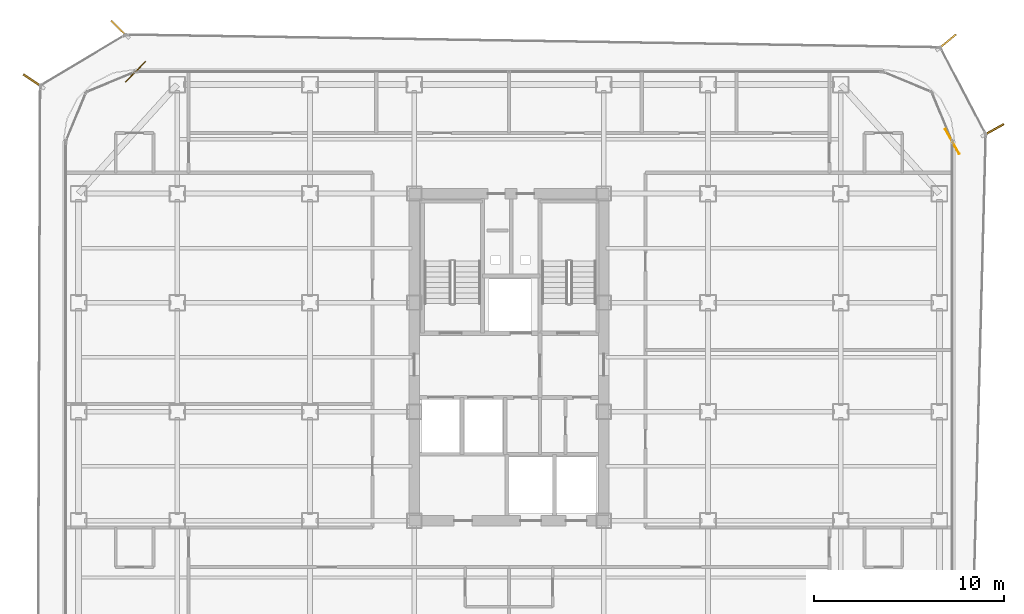
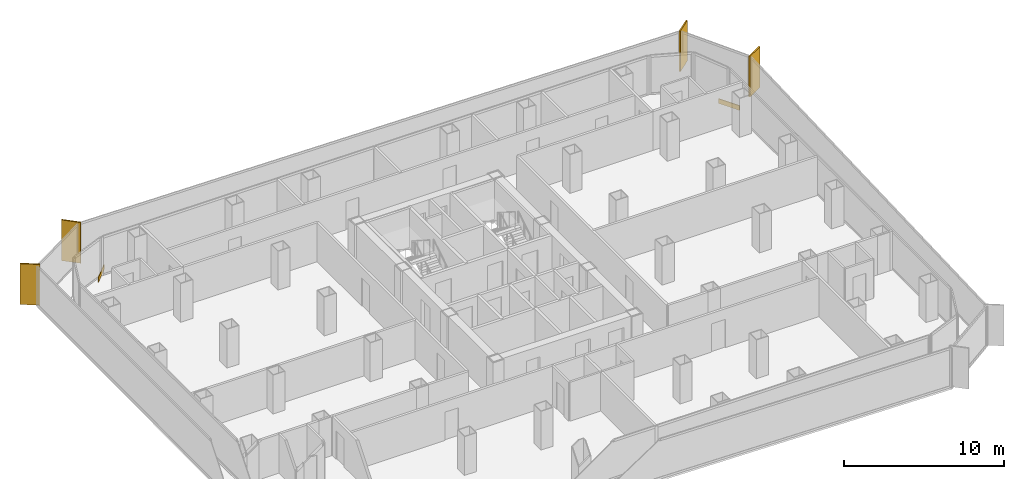
# One storey, part 21 of 21: 4 shading devices, 2 coverings.
"""IFC4 building model written with IfcOpenShell, lengths in metres."""

from ifc_helpers import new_model, si_unit, direction, frame, origin, origin_2d, place, context, subcontext, project, spatial, rectangle, extrude, source, transform, mapped, material, layer, layer_set, type_object, element, save


model = new_model("IFC4")

# Units and contexts
model_context = context("Model", 3, precision=1e-05, world=origin(), true_north=direction((0.0, 1.0)))
body_context = subcontext(model_context, "Body", "Model", "MODEL_VIEW")
ifc_project = project(units=[si_unit("LENGTHUNIT", "METRE"), si_unit("AREAUNIT", "SQUARE_METRE"), si_unit("VOLUMEUNIT", "CUBIC_METRE"), si_unit("PLANEANGLEUNIT", "RADIAN"), si_unit("MASSUNIT", "GRAM", prefix="KILO")], contexts=[model_context])

# Site, building, storey
site_placement = place(None, origin())
site = spatial("IfcSite", under=ifc_project, at=site_placement, CompositionType="ELEMENT")
building_placement = place(site_placement, origin())
building = spatial("IfcBuilding", under=site, at=building_placement, Name="Kolveth Station Tower", CompositionType="ELEMENT")
storey_placement = place(building_placement, frame((0.0, 0.0, 134.300048828125)))
storey = spatial("IfcBuildingStorey", under=building, at=storey_placement, Name="L37", CompositionType="ELEMENT", Elevation=134.300048828125)

# Shading devices
ifc_material_1 = material(Name="Black anodized aluminium 6063-T6", Category="aluminium")
shading_device_type = type_object("IfcShadingDeviceType", Name="FIN_VF1", PredefinedType="USERDEFINED", material=ifc_material_1)
shared_shape_1 = source(origin(), body_context, "Body", "SweptSolid", [
    extrude(rectangle(XDim=1.25, YDim=0.090087890625, at=origin_2d()), origin(), (0.0, 0.0, 1.0), 3.10009765625),
])
for number, where, z_axis, x_axis, name in (
    (1, (49.0419921875, 32.10888671875, 0.0), (0.0, 0.0, 1.0), (0.87026973856, 0.492575458328, 0.0), "L37 Dark-Aluminium Solar Fin 3"),
    (2, (46.593994140625, 36.7509765625, 0.0), (0.0, 0.0, 1.0), (0.770624482513, 0.637289500111, 0.0), "L37 Dark-Aluminium Solar Fin 4"),
    (3, (2.951904296875, 37.443115234375, 0.0), (0.0, 0.0, 1.0), (-0.720187948577, 0.693779012888, 0.0), "L37 Dark-Aluminium Solar Fin 5"),
    (4, (-1.594970703125, 34.69091796875, 0.0), (0.0, 0.0, 1.0), (-0.827276727994, 0.56179463803, 0.0), "L37 Dark-Aluminium Solar Fin 6"),
):
    element("IfcShadingDevice", number, at=place(storey_placement, frame(where, z_axis=z_axis, x_axis=x_axis)), inside=storey, type_object=shading_device_type, Name=name, ObjectType="FIN", PredefinedType="USERDEFINED", context=body_context, shape_type="MappedRepresentation", body=[
        mapped(shared_shape_1, transform((0.0, 0.0, 0.0), x_axis=(1.0, 0.0, 0.0), y_axis=(0.0, 1.0, 0.0), z_axis=(0.0, 0.0, 1.0), scale=1.0)),
    ])

# Coverings
ifc_material_2 = material(Name="Charcoal anodized aluminium spandrel cladding", Category="aluminium")
ifc_layer = layer(ifc_material_2, 0.044921875)
ifc_layer_set = layer_set([ifc_layer], Name="Charcoal anodized aluminium spandrel cladding")
covering_type = type_object("IfcCoveringType", Name="Clad_CD1", PredefinedType="CLADDING", material=ifc_layer_set)
shared_shape_2 = source(origin(), body_context, "Body", "SweptSolid", [
    extrude(rectangle(XDim=1.5, YDim=0.044921875, at=origin_2d()), origin(), (0.0, 0.0, 1.0), 0.360107421875),
])
for number, where, z_axis, x_axis, name in (
    (5, (46.8798828125, 31.5, 0.0), (0.0, 0.0, 1.0), (-0.492575458328, 0.87026973856, 0.0), "L37 Spandrel Edge Cladding 3"),
    (6, (3.800048828125, 35.179931640625, 0.0), (0.0, 0.0, 1.0), (-0.693779012888, -0.720187948577, 0.0), "L37 Spandrel Edge Cladding 5"),
):
    element("IfcCovering", number, at=place(storey_placement, frame(where, z_axis=z_axis, x_axis=x_axis)), inside=storey, type_object=covering_type, Name=name, PredefinedType="CLADDING", context=body_context, shape_type="MappedRepresentation", body=[
        mapped(shared_shape_2, transform((0.0, 0.0, 0.0), x_axis=(1.0, 0.0, 0.0), y_axis=(0.0, 1.0, 0.0), z_axis=(0.0, 0.0, 1.0), scale=1.0)),
    ])

save(model, "model.ifc")
